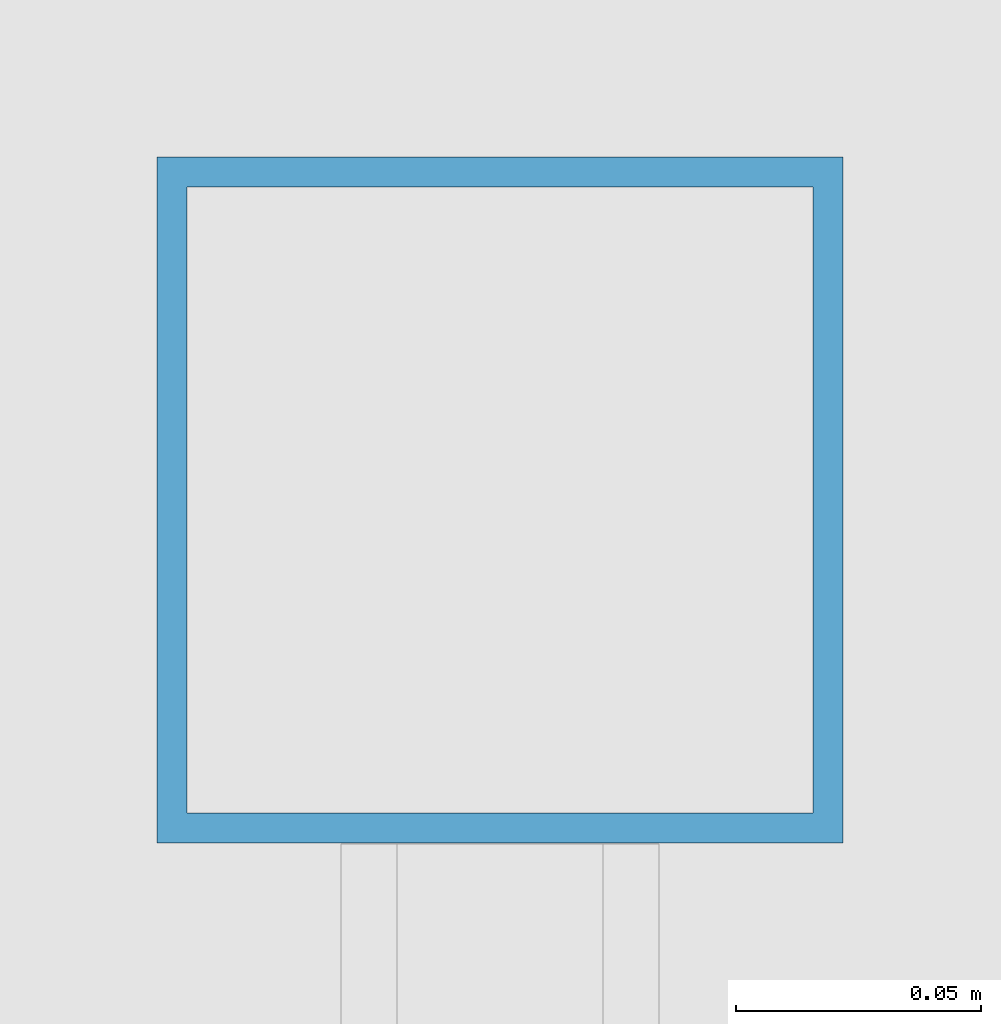
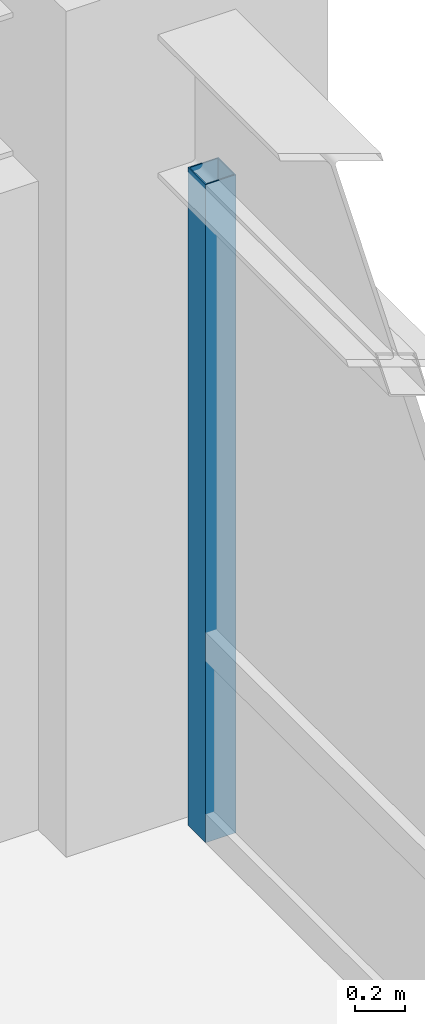
# One storey, part 16 of 32: 1 member, 1 element without a shape of its own.
"""IFC4 building model written with IfcOpenShell, lengths in metres."""

from ifc_helpers import new_model, si_unit, direction, frame, origin, origin_2d, place, context, subcontext, project, spatial, hollow_rectangle, extrude, source, transform, mapped, material, material_profile, profile_set, type_object, element, aggregate, save


model = new_model("IFC4")

# Units and contexts
model_context = context("Model", 3, precision=1e-05, world=origin(), true_north=direction((0.0, 1.0)))
body_context = subcontext(model_context, "Body", "Model", "MODEL_VIEW")
ifc_project = project(units=[si_unit("LENGTHUNIT", "METRE"), si_unit("AREAUNIT", "SQUARE_METRE"), si_unit("VOLUMEUNIT", "CUBIC_METRE"), si_unit("PLANEANGLEUNIT", "RADIAN"), si_unit("MASSUNIT", "GRAM", prefix="KILO")], contexts=[model_context])

# Site, building, storey
site_placement = place(None, origin())
site = spatial("IfcSite", under=ifc_project, at=site_placement, CompositionType="ELEMENT")
building_placement = place(site_placement, origin())
building = spatial("IfcBuilding", under=site, at=building_placement, Name="Khorayat Bourse Tower", CompositionType="ELEMENT")
storey_placement = place(building_placement, frame((0.0, 0.0, 95.5)))
storey = spatial("IfcBuildingStorey", under=building, at=storey_placement, Name="L21", CompositionType="ELEMENT", Elevation=95.5)

# Curtain wall, member
ifc_material = material(Name="Aluminium EN AW-6063 T6", Category="aluminium")
curtain_wall_type = type_object("IfcCurtainWallType", Name="CW-SYS-02", PredefinedType="NOTDEFINED", material=ifc_material)
curtain_wall_placement = place(storey_placement, origin())
curtain_wall = element("IfcCurtainWall", 1, at=curtain_wall_placement, inside=storey, type_object=curtain_wall_type, Name="L21 Curtain Wall CW-L21-E1", PredefinedType="NOTDEFINED")
ifc_material_profile = material_profile(ifc_material, hollow_rectangle(XDim=0.139892578125, YDim=0.139892578125, WallThickness=0.006103515625, at=origin_2d()), Name="ALU 140x140x6")
ifc_profile_set = profile_set([ifc_material_profile], Name="Aluminium EN AW-6063 T6")
member_type = type_object("IfcMemberType", Name="CWM-VERT-140", PredefinedType="MULLION", material=ifc_profile_set)
shared_shape = source(origin(), body_context, "Body", "SweptSolid", [
    extrude(hollow_rectangle(XDim=0.139892578125, YDim=0.139892578125, WallThickness=0.006103515625, at=origin_2d()), origin(), (0.0, 0.0, 1.0), 3.18994140625),
])
member_placement = place(storey_placement, frame((32.0, 27.280029296875, 0.0), z_axis=(0.0, 0.0, 1.0), x_axis=(-1.0, 0.0, 0.0)))
member = element("IfcMember", 2, at=member_placement, type_object=member_type, Name="CW-L21-E1 Vertical Mullion 3", PredefinedType="MULLION", context=body_context, shape_type="MappedRepresentation", body=[
    mapped(shared_shape, transform((0.0, 0.0, 0.0), scale=1.0)),
])
aggregate(curtain_wall, [member])

save(model, "model.ifc")
